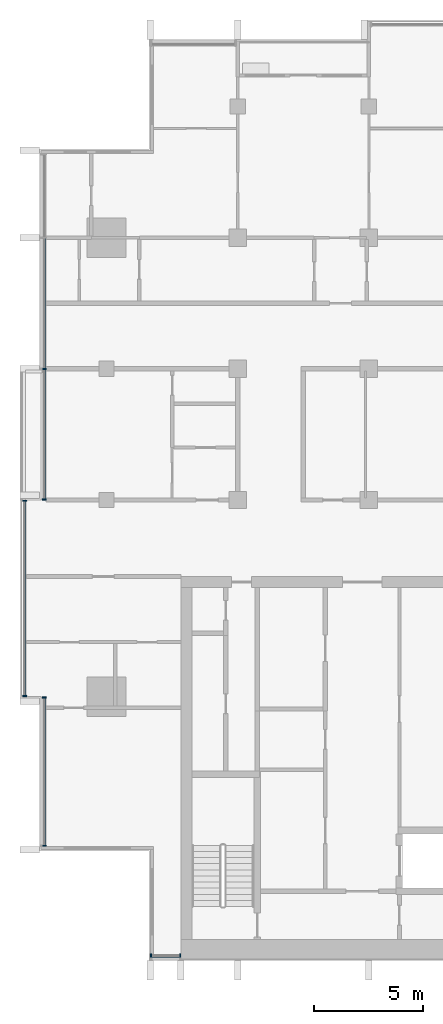
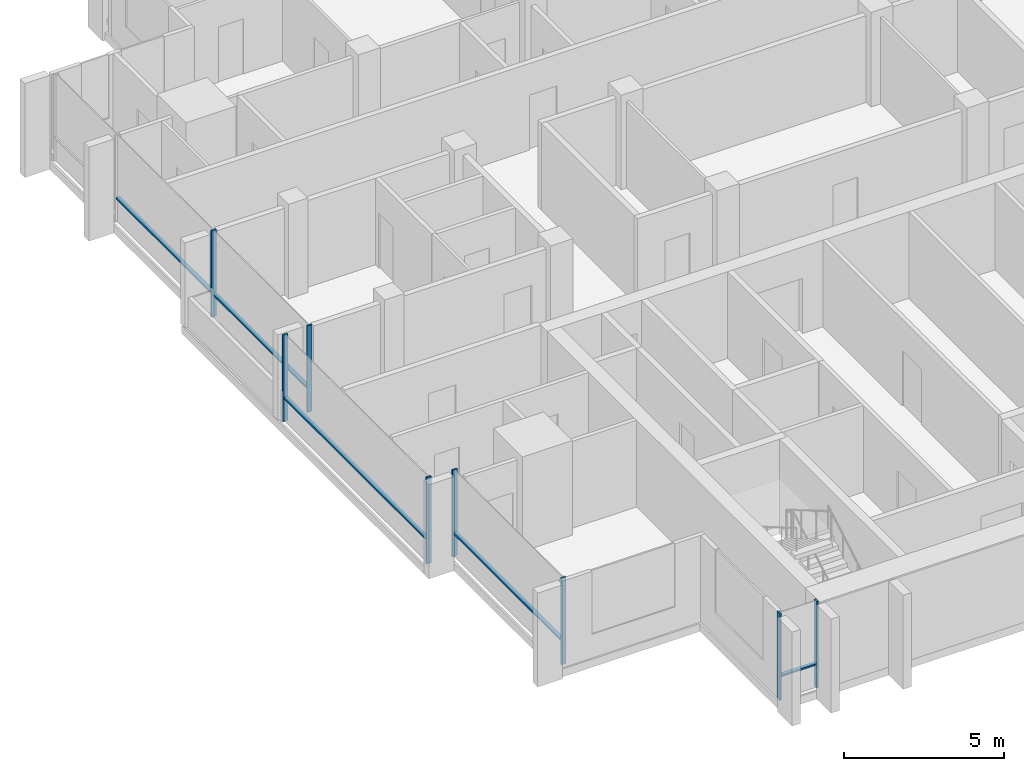
# One storey, part 2 of 16: 13 members, 4 elements without a shape of their own.
"""IFC4 building model written with IfcOpenShell, lengths in metres."""

from ifc_helpers import new_model, si_unit, direction, frame, origin, origin_2d, place, context, subcontext, project, spatial, rectangle, extrude, material, material_profile, profile_set, type_object, element, aggregate, save


model = new_model("IFC4")

# Units and contexts
model_context = context("Model", 3, precision=1e-05, world=origin(), true_north=direction((0.0, 1.0)))
body_context = subcontext(model_context, "Body", "Model", "MODEL_VIEW")
ifc_project = project(units=[si_unit("LENGTHUNIT", "METRE"), si_unit("AREAUNIT", "SQUARE_METRE"), si_unit("VOLUMEUNIT", "CUBIC_METRE"), si_unit("PLANEANGLEUNIT", "RADIAN"), si_unit("MASSUNIT", "GRAM", prefix="KILO")], contexts=[model_context])

# Site, building, storey
site_placement = place(None, origin())
site = spatial("IfcSite", under=ifc_project, at=site_placement, CompositionType="ELEMENT")
building_placement = place(site_placement, origin())
building = spatial("IfcBuilding", under=site, at=building_placement, Name="Finial Court Residences", CompositionType="ELEMENT")
storey_placement = place(building_placement, frame((0.0, 0.0, 277.10009765625)))
storey = spatial("IfcBuildingStorey", under=building, at=storey_placement, Name="L70", CompositionType="ELEMENT", Elevation=277.10009765625)

# Curtain wall, members
ifc_material = material(Name="Bronze anodised aluminium", Category="aluminium")
curtain_wall_type = type_object("IfcCurtainWallType", Name="Unitised curtain wall, upper zones", PredefinedType="NOTDEFINED", material=ifc_material)
curtain_wall_1_placement = place(storey_placement, origin())
curtain_wall_1 = element("IfcCurtainWall", 1, at=curtain_wall_1_placement, inside=storey, type_object=curtain_wall_type, Name="E-L70-CW-S7", PredefinedType="NOTDEFINED")
ifc_material_profile_1 = material_profile(ifc_material, rectangle(XDim=0.175048828125, YDim=0.06005859375, at=origin_2d()), Name="CW2 mullion 60 x 175")
ifc_profile_set_1 = profile_set([ifc_material_profile_1], Name="Bronze anodised aluminium")
member_type_1 = type_object("IfcMemberType", Name="CW2 mullion 60 x 175", PredefinedType="MULLION", material=ifc_profile_set_1)
member_1_placement = place(storey_placement, frame((-14.469970703125, -25.35009765625, 0.0), z_axis=(0.0, 0.0, 1.0), x_axis=(0.0, 1.0, 0.0)))
member_1 = element("IfcMember", 2, at=member_1_placement, type_object=member_type_1, Name="CW2 mullion 1", PredefinedType="MULLION", context=body_context, shape_type="SweptSolid", body=[
    extrude(rectangle(XDim=0.175048828125, YDim=0.06005859375, at=origin_2d()), origin(), (0.0, 0.0, 1.0), 3.2998046875),
])
member_2_placement = place(storey_placement, frame((-13.1298828125, -25.35009765625, 0.0), z_axis=(0.0, 0.0, 1.0), x_axis=(0.0, 1.0, 0.0)))
member_2 = element("IfcMember", 3, at=member_2_placement, type_object=member_type_1, Name="CW2 mullion 2", PredefinedType="MULLION", context=body_context, shape_type="SweptSolid", body=[
    extrude(rectangle(XDim=0.175048828125, YDim=0.06005859375, at=origin_2d()), origin(), (0.0, 0.0, 1.0), 3.2998046875),
])

curtain_wall_2_placement = place(storey_placement, origin())
curtain_wall_2 = element("IfcCurtainWall", 4, at=curtain_wall_2_placement, inside=storey, type_object=curtain_wall_type, Name="E-L70-CW-W9", PredefinedType="NOTDEFINED")
member_3_placement = place(storey_placement, frame((-19.35009765625, -20.320068359375, 0.0), z_axis=(0.0, 0.0, 1.0), x_axis=(-1.0, 0.0, 0.0)))
member_3 = element("IfcMember", 5, at=member_3_placement, type_object=member_type_1, Name="CW2 mullion 1", PredefinedType="MULLION", context=body_context, shape_type="SweptSolid", body=[
    extrude(rectangle(XDim=0.175048828125, YDim=0.06005859375, at=origin_2d()), origin(), (0.0, 0.0, 1.0), 3.2998046875),
])
member_4_placement = place(storey_placement, frame((-19.35009765625, -13.530029296875, 0.0), z_axis=(0.0, 0.0, 1.0), x_axis=(-1.0, 0.0, 0.0)))
member_4 = element("IfcMember", 6, at=member_4_placement, type_object=member_type_1, Name="CW2 mullion 2", PredefinedType="MULLION", context=body_context, shape_type="SweptSolid", body=[
    extrude(rectangle(XDim=0.175048828125, YDim=0.06005859375, at=origin_2d()), origin(), (0.0, 0.0, 1.0), 3.2998046875),
])

curtain_wall_3_placement = place(storey_placement, origin())
curtain_wall_3 = element("IfcCurtainWall", 7, at=curtain_wall_3_placement, inside=storey, type_object=curtain_wall_type, Name="E-L70-CW-W10", PredefinedType="NOTDEFINED")
member_5_placement = place(storey_placement, frame((-20.25, -13.469970703125, 0.0), z_axis=(0.0, 0.0, 1.0), x_axis=(-1.0, 0.0, 0.0)))
member_5 = element("IfcMember", 8, at=member_5_placement, type_object=member_type_1, Name="CW2 mullion 1", PredefinedType="MULLION", context=body_context, shape_type="SweptSolid", body=[
    extrude(rectangle(XDim=0.175048828125, YDim=0.06005859375, at=origin_2d()), origin(), (0.0, 0.0, 1.0), 3.2998046875),
])
member_6_placement = place(storey_placement, frame((-20.25, -4.530029296875, 0.0), z_axis=(0.0, 0.0, 1.0), x_axis=(-1.0, 0.0, 0.0)))
member_6 = element("IfcMember", 9, at=member_6_placement, type_object=member_type_1, Name="CW2 mullion 2", PredefinedType="MULLION", context=body_context, shape_type="SweptSolid", body=[
    extrude(rectangle(XDim=0.175048828125, YDim=0.06005859375, at=origin_2d()), origin(), (0.0, 0.0, 1.0), 3.2998046875),
])

curtain_wall_4_placement = place(storey_placement, origin())
curtain_wall_4 = element("IfcCurtainWall", 10, at=curtain_wall_4_placement, inside=storey, type_object=curtain_wall_type, Name="E-L70-CW-W11", PredefinedType="NOTDEFINED")
member_7_placement = place(storey_placement, frame((-19.35009765625, -4.469970703125, 0.0), z_axis=(0.0, 0.0, 1.0), x_axis=(-1.0, 0.0, 0.0)))
member_7 = element("IfcMember", 11, at=member_7_placement, type_object=member_type_1, Name="CW2 mullion 1", PredefinedType="MULLION", context=body_context, shape_type="SweptSolid", body=[
    extrude(rectangle(XDim=0.175048828125, YDim=0.06005859375, at=origin_2d()), origin(), (0.0, 0.0, 1.0), 3.2998046875),
])
member_8_placement = place(storey_placement, frame((-19.35009765625, 1.5, 0.0), z_axis=(0.0, 0.0, 1.0), x_axis=(-1.0, 0.0, 0.0)))
member_8 = element("IfcMember", 12, at=member_8_placement, type_object=member_type_1, Name="CW2 mullion 2", PredefinedType="MULLION", context=body_context, shape_type="SweptSolid", body=[
    extrude(rectangle(XDim=0.175048828125, YDim=0.06005859375, at=origin_2d()), origin(), (0.0, 0.0, 1.0), 3.2998046875),
])

# Member
ifc_material_profile_2 = material_profile(ifc_material, rectangle(XDim=0.139892578125, YDim=0.06005859375, at=origin_2d()), Name="CW2 transom 60 x 140")
ifc_profile_set_2 = profile_set([ifc_material_profile_2], Name="Bronze anodised aluminium")
member_type_2 = type_object("IfcMemberType", Name="CW2 transom 60 x 140", PredefinedType="USERDEFINED", material=ifc_profile_set_2)
member_9_placement = place(storey_placement, frame((-14.43994140625, -25.35009765625, 0.89990234375), z_axis=(1.0, 0.0, 0.0), x_axis=(0.0, 1.0, 0.0)))
member_9 = element("IfcMember", 13, at=member_9_placement, type_object=member_type_2, Name="CW2 transom 1.1", ObjectType="TRANSOM", PredefinedType="USERDEFINED", context=body_context, shape_type="SweptSolid", body=[
    extrude(rectangle(XDim=0.139892578125, YDim=0.06005859375, at=origin_2d()), origin(), (0.0, 0.0, 1.0), 1.280029296875),
])

aggregate(curtain_wall_1, [member_1, member_2, member_9])

member_10_placement = place(storey_placement, frame((-19.35009765625, -20.2900390625, 0.89990234375), z_axis=(0.0, 1.0, 0.0), x_axis=(-1.0, 0.0, 0.0)))
member_10 = element("IfcMember", 14, at=member_10_placement, type_object=member_type_2, Name="CW2 transom 1.1", ObjectType="TRANSOM", PredefinedType="USERDEFINED", context=body_context, shape_type="SweptSolid", body=[
    extrude(rectangle(XDim=0.139892578125, YDim=0.06005859375, at=origin_2d()), origin(), (0.0, 0.0, 1.0), 6.72998046875),
])

aggregate(curtain_wall_2, [member_3, member_4, member_10])

member_11_placement = place(storey_placement, frame((-20.25, -13.43994140625, 0.89990234375), z_axis=(0.0, 1.0, 0.0), x_axis=(-1.0, 0.0, 0.0)))
member_11 = element("IfcMember", 15, at=member_11_placement, type_object=member_type_2, Name="CW2 transom 1.1", ObjectType="TRANSOM", PredefinedType="USERDEFINED", context=body_context, shape_type="SweptSolid", body=[
    extrude(rectangle(XDim=0.139892578125, YDim=0.06005859375, at=origin_2d()), origin(), (0.0, 0.0, 1.0), 8.8798828125),
])

aggregate(curtain_wall_3, [member_5, member_6, member_11])

member_12_placement = place(storey_placement, frame((-19.35009765625, -4.43994140625, 0.89990234375), z_axis=(0.0, 1.0, 0.0), x_axis=(-1.0, 0.0, 0.0)))
member_12 = element("IfcMember", 16, at=member_12_placement, type_object=member_type_2, Name="CW2 transom 1.1", ObjectType="TRANSOM", PredefinedType="USERDEFINED", context=body_context, shape_type="SweptSolid", body=[
    extrude(rectangle(XDim=0.139892578125, YDim=0.06005859375, at=origin_2d()), origin(), (0.0, 0.0, 1.0), 5.909912109375),
])

member_13_placement = place(storey_placement, frame((-19.35009765625, 1.530029296875, 0.89990234375), z_axis=(0.0, 1.0, 0.0), x_axis=(-1.0, 0.0, 0.0)))
member_13 = element("IfcMember", 17, at=member_13_placement, type_object=member_type_2, Name="CW2 transom 2.1", ObjectType="TRANSOM", PredefinedType="USERDEFINED", context=body_context, shape_type="SweptSolid", body=[
    extrude(rectangle(XDim=0.139892578125, YDim=0.06005859375, at=origin_2d()), origin(), (0.0, 0.0, 1.0), 5.93994140625),
])

aggregate(curtain_wall_4, [member_7, member_8, member_12, member_13])

save(model, "model.ifc")
